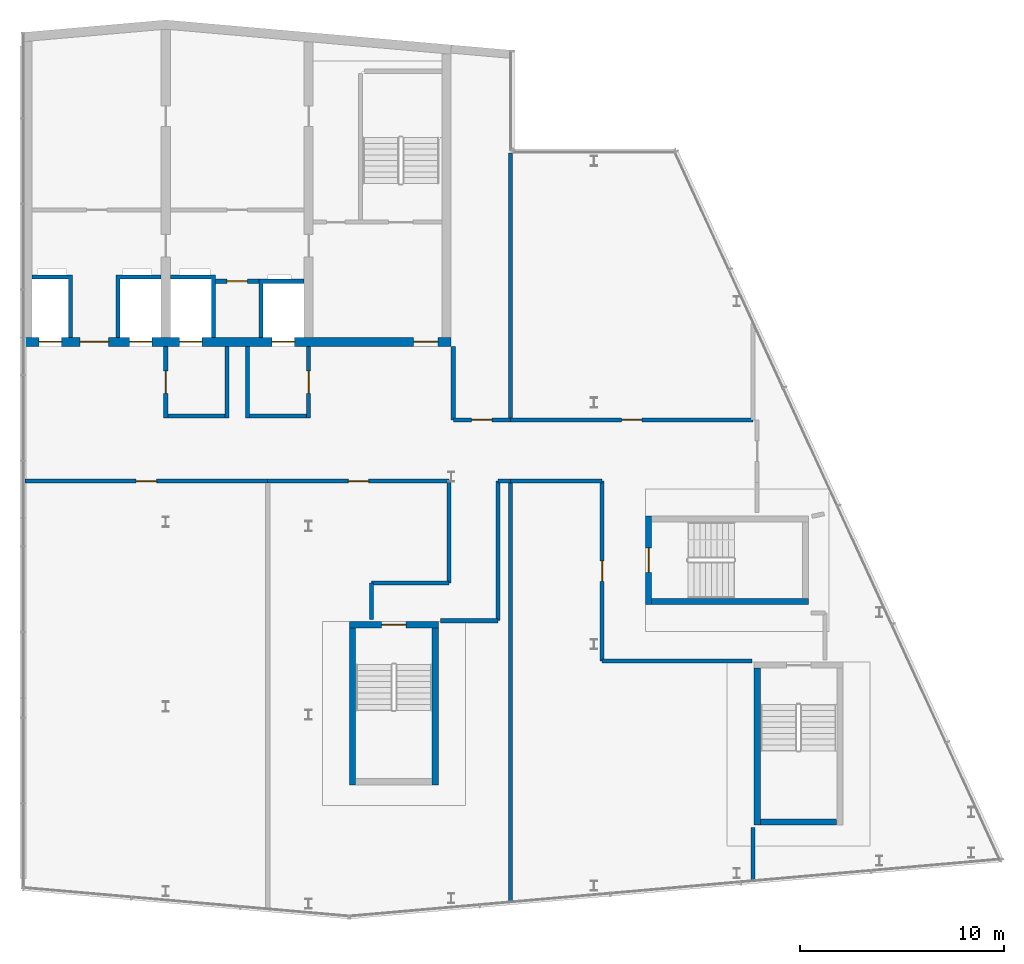
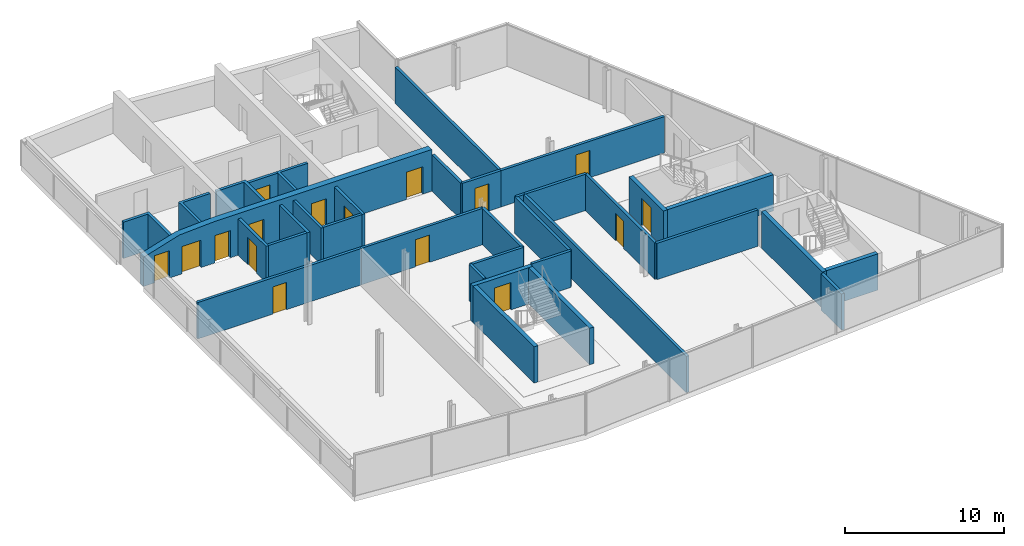
# One storey, part 9 of 13: 36 walls, 16 doors, 16 openings.
"""IFC4 building model written with IfcOpenShell, lengths in metres."""

from ifc_helpers import new_model, si_unit, direction, frame, frame_2d, origin, place, context, subcontext, project, spatial, polyline, rectangle, outline, extrude, material, layer, layer_set, type_object, element, fill, save


model = new_model("IFC4")

# Units and contexts
model_context = context("Model", 3, precision=1e-05, world=origin(), true_north=direction((0.0, 1.0)))
body_context = subcontext(model_context, "Body", "Model", "MODEL_VIEW")
ifc_project = project(units=[si_unit("LENGTHUNIT", "METRE"), si_unit("AREAUNIT", "SQUARE_METRE"), si_unit("VOLUMEUNIT", "CUBIC_METRE"), si_unit("PLANEANGLEUNIT", "RADIAN"), si_unit("MASSUNIT", "GRAM", prefix="KILO")], contexts=[model_context])

# Site, building, storey
site_placement = place(None, origin())
site = spatial("IfcSite", under=ifc_project, at=site_placement, CompositionType="ELEMENT")
building_placement = place(site_placement, origin())
building = spatial("IfcBuilding", under=site, at=building_placement, Name="Wharfspan Tower", CompositionType="ELEMENT")
storey_placement = place(building_placement, frame((0.0, 0.0, 264.300049)))
storey = spatial("IfcBuildingStorey", under=building, at=storey_placement, Name="L67", CompositionType="ELEMENT", Elevation=264.300049)

# Wall, opening, door
ifc_material_1 = material(Name="Calcium silicate masonry", Category="masonry")
ifc_layer_1 = layer(ifc_material_1, 0.199951)
ifc_layer_set_1 = layer_set([ifc_layer_1], Name="Calcium silicate masonry")
wall_type_1 = type_object("IfcWallType", Name="Core room wall 200", PredefinedType="PARTITIONING", material=ifc_layer_set_1)
wall_1_placement = place(storey_placement, frame((39.43335, 37.199951, 0.0), z_axis=(0.0, 0.0, 1.0), x_axis=(1.0, 0.0, 0.0)))
wall_1 = element("IfcWall", 1, at=wall_1_placement, inside=storey, type_object=wall_type_1, Name="sw:L67:FR4.2", PredefinedType="PARTITIONING", context=body_context, shape_type="SweptSolid", body=[
    extrude(rectangle(XDim=2.133301, YDim=0.199951, at=frame_2d((1.06665, 0.0))), origin(), (0.0, 0.0, 1.0), 2.800049),
])
opening_1_placement = place(wall_1_placement, frame((0.56665, 0.0, 0.0)))
opening_1 = element("IfcOpeningElement", 2, at=opening_1_placement, cuts=wall_1, Name="Opening CD67.4H2", PredefinedType="OPENING", context=body_context, shape_type="SweptSolid", body=[
    extrude(rectangle(XDim=1.0, YDim=2.100098, at=frame_2d((0.5, 1.050049))), frame((0.0, 0.109863, 0.0), z_axis=(0.0, -1.0, 0.0), x_axis=(1.0, 0.0, 0.0)), (0.0, 0.0, 1.0), 0.219971),
])
ifc_material_2 = material(Name="Steel door leaf", Category="steel")
door_type_1 = type_object("IfcDoorType", Name="Core room door 1000x2100", OperationType="SINGLE_SWING_LEFT", PredefinedType="DOOR", material=ifc_material_2)
door_1_placement = place(opening_1_placement, origin())
door_1 = element("IfcDoor", 3, at=door_1_placement, inside=storey, type_object=door_type_1, Name="d:L67:4:fh4.2", OperationType="SINGLE_SWING_RIGHT", OverallHeight=2.100098, OverallWidth=1.0, PredefinedType="DOOR", context=body_context, shape_type="SweptSolid", body=[
    extrude(rectangle(XDim=1.0, YDim=2.100098, at=frame_2d((0.5, 1.050049))), frame((0.0, 0.024902, 0.0), z_axis=(0.0, -1.0, 0.0), x_axis=(1.0, 0.0, 0.0)), (0.0, 0.0, 1.0), 0.050049),
])
fill(opening_1, door_1)

wall_2_placement = place(storey_placement, frame((30.100098, 27.399902, 0.0), z_axis=(0.0, 0.0, 1.0), x_axis=(1.0, 0.0, 0.0)))
wall_2 = element("IfcWall", 4, at=wall_2_placement, inside=storey, type_object=wall_type_1, Name="cr:L67:w1", PredefinedType="PARTITIONING", context=body_context, shape_type="SweptSolid", body=[
    extrude(rectangle(XDim=11.899902, YDim=0.199951, at=frame_2d((5.949951, 0.0))), origin(), (0.0, 0.0, 1.0), 2.800049),
])
opening_2_placement = place(wall_2_placement, frame((5.449951, 0.0, 0.0)))
opening_2 = element("IfcOpeningElement", 5, at=opening_2_placement, cuts=wall_2, Name="Opening CD67.d1", PredefinedType="OPENING", context=body_context, shape_type="SweptSolid", body=[
    extrude(rectangle(XDim=1.0, YDim=2.100098, at=frame_2d((0.5, 1.050049))), frame((0.0, 0.109863, 0.0), z_axis=(0.0, -1.0, 0.0), x_axis=(1.0, 0.0, 0.0)), (0.0, 0.0, 1.0), 0.219971),
])
door_2_placement = place(opening_2_placement, origin())
door_2 = element("IfcDoor", 6, at=door_2_placement, inside=storey, type_object=door_type_1, Name="cd:L67:d1", OperationType="SINGLE_SWING_LEFT", OverallHeight=2.100098, OverallWidth=1.0, PredefinedType="DOOR", context=body_context, shape_type="SweptSolid", body=[
    extrude(rectangle(XDim=1.0, YDim=2.100098, at=frame_2d((0.5, 1.050049))), frame((0.0, 0.024902, 0.0), z_axis=(0.0, -1.0, 0.0), x_axis=(1.0, 0.0, 0.0)), (0.0, 0.0, 1.0), 0.050049),
])
fill(opening_2, door_2)

# Walls
wall_3_placement = place(storey_placement, frame((53.300049, 20.550293, 0.0), z_axis=(0.0, 0.0, 1.0), x_axis=(0.0, 1.0, 0.0)))
element("IfcWall", 7, at=wall_3_placement, inside=storey, type_object=wall_type_1, Name="cr:L67:w3", PredefinedType="PARTITIONING", context=body_context, shape_type="SweptSolid", body=[
    extrude(rectangle(XDim=6.849609, YDim=0.199951, at=frame_2d((3.424805, 0.0))), origin(), (0.0, 0.0, 1.0), 2.800049),
])
wall_4_placement = place(storey_placement, frame((53.300049, 27.399902, 0.0), z_axis=(0.0, 0.0, 1.0), x_axis=(1.0, 0.0, 0.0)))
element("IfcWall", 8, at=wall_4_placement, inside=storey, type_object=wall_type_1, Name="cr:L67:w4", PredefinedType="PARTITIONING", context=body_context, shape_type="SweptSolid", body=[
    extrude(rectangle(XDim=0.599854, YDim=0.199951, at=frame_2d((0.299805, 0.0))), origin(), (0.0, 0.0, 1.0), 2.800049),
])

# Wall, opening, door
wall_5_placement = place(storey_placement, frame((42.0, 27.399902, 0.0), z_axis=(0.0, 0.0, 1.0), x_axis=(1.0, 0.0, 0.0)))
wall_5 = element("IfcWall", 9, at=wall_5_placement, inside=storey, type_object=wall_type_1, Name="cr:L67:w5", PredefinedType="PARTITIONING", context=body_context, shape_type="SweptSolid", body=[
    extrude(rectangle(XDim=8.899902, YDim=0.199951, at=frame_2d((4.449951, 0.0))), origin(), (0.0, 0.0, 1.0), 2.800049),
])
opening_3_placement = place(wall_5_placement, frame((3.949951, 0.0, 0.0)))
opening_3 = element("IfcOpeningElement", 10, at=opening_3_placement, cuts=wall_5, Name="Opening CD67.d2", PredefinedType="OPENING", context=body_context, shape_type="SweptSolid", body=[
    extrude(rectangle(XDim=1.0, YDim=2.100098, at=frame_2d((0.5, 1.050049))), frame((0.0, 0.109863, 0.0), z_axis=(0.0, -1.0, 0.0), x_axis=(1.0, 0.0, 0.0)), (0.0, 0.0, 1.0), 0.219971),
])
door_3_placement = place(opening_3_placement, origin())
door_3 = element("IfcDoor", 11, at=door_3_placement, inside=storey, type_object=door_type_1, Name="cd:L67:d2", OperationType="SINGLE_SWING_LEFT", OverallHeight=2.100098, OverallWidth=1.0, PredefinedType="DOOR", context=body_context, shape_type="SweptSolid", body=[
    extrude(rectangle(XDim=1.0, YDim=2.100098, at=frame_2d((0.5, 1.050049))), frame((0.0, 0.024902, 0.0), z_axis=(0.0, -1.0, 0.0), x_axis=(1.0, 0.0, 0.0)), (0.0, 0.0, 1.0), 0.050049),
])
fill(opening_3, door_3)

# Walls
wall_6_placement = place(storey_placement, frame((50.899902, 27.399902, 0.0), z_axis=(0.0, 0.0, 1.0), x_axis=(0.0, -1.0, 0.0)))
element("IfcWall", 12, at=wall_6_placement, inside=storey, type_object=wall_type_1, Name="cr:L67:w6", PredefinedType="PARTITIONING", context=body_context, shape_type="SweptSolid", body=[
    extrude(rectangle(XDim=4.999512, YDim=0.199951, at=frame_2d((2.499756, 0.0))), origin(), (0.0, 0.0, 1.0), 2.800049),
])
wall_7_placement = place(storey_placement, frame((50.899902, 22.400391, 0.0), z_axis=(0.0, 0.0, 1.0), x_axis=(-1.0, 0.0, 0.0)))
element("IfcWall", 13, at=wall_7_placement, inside=storey, type_object=wall_type_1, Name="cr:L67:w7", PredefinedType="PARTITIONING", context=body_context, shape_type="SweptSolid", body=[
    extrude(rectangle(XDim=3.808838, YDim=0.199951, at=frame_2d((1.904297, 0.0))), origin(), (0.0, 0.0, 1.0), 2.800049),
])
wall_8_placement = place(storey_placement, frame((47.091064, 22.400391, 0.0), z_axis=(0.0, 0.0, 1.0), x_axis=(0.0, -1.0, 0.0)))
element("IfcWall", 14, at=wall_8_placement, inside=storey, type_object=wall_type_1, Name="cr:L67:w8", PredefinedType="PARTITIONING", context=body_context, shape_type="SweptSolid", body=[
    extrude(rectangle(XDim=1.800049, YDim=0.199951, at=frame_2d((0.899902, 0.0))), origin(), (0.0, 0.0, 1.0), 2.800049),
])
wall_9_placement = place(storey_placement, frame((50.466064, 20.550293, 0.0), z_axis=(0.0, 0.0, 1.0), x_axis=(1.0, 0.0, 0.0)))
element("IfcWall", 15, at=wall_9_placement, inside=storey, type_object=wall_type_1, Name="cr:L67:w9", PredefinedType="PARTITIONING", context=body_context, shape_type="SweptSolid", body=[
    extrude(rectangle(XDim=2.833984, YDim=0.199951, at=frame_2d((1.416992, 0.0))), origin(), (0.0, 0.0, 1.0), 2.800049),
])
wall_10_placement = place(storey_placement, frame((53.899902, 27.399902, 0.0), z_axis=(0.0, 0.0, 1.0), x_axis=(0.0, -1.0, 0.0)))
element("IfcWall", 16, at=wall_10_placement, inside=storey, type_object=wall_type_1, Name="cr:L67:w10", PredefinedType="PARTITIONING", context=body_context, shape_type="SweptSolid", body=[
    extrude(rectangle(XDim=20.60791, YDim=0.199951, at=frame_2d((10.303955, 0.0))), origin(), (0.0, 0.0, 1.0), 2.800049),
])

# Wall, opening, door
wall_11_placement = place(storey_placement, frame((58.399902, 27.399902, 0.0), z_axis=(0.0, 0.0, 1.0), x_axis=(0.0, -1.0, 0.0)))
wall_11 = element("IfcWall", 17, at=wall_11_placement, inside=storey, type_object=wall_type_1, Name="cr:L67:w11", PredefinedType="PARTITIONING", context=body_context, shape_type="SweptSolid", body=[
    extrude(rectangle(XDim=8.828125, YDim=0.199951, at=frame_2d((4.414062, 0.0))), origin(), (0.0, 0.0, 1.0), 2.800049),
])
opening_4_placement = place(wall_11_placement, frame((3.914062, 0.0, 0.0)))
opening_4 = element("IfcOpeningElement", 18, at=opening_4_placement, cuts=wall_11, Name="Opening CD67.d3", PredefinedType="OPENING", context=body_context, shape_type="SweptSolid", body=[
    extrude(rectangle(XDim=1.0, YDim=2.100098, at=frame_2d((0.5, 1.050049))), frame((0.0, 0.109863, 0.0), z_axis=(0.0, -1.0, 0.0), x_axis=(1.0, 0.0, 0.0)), (0.0, 0.0, 1.0), 0.219971),
])
door_4_placement = place(opening_4_placement, origin())
door_4 = element("IfcDoor", 19, at=door_4_placement, inside=storey, type_object=door_type_1, Name="cd:L67:d3", OperationType="SINGLE_SWING_LEFT", OverallHeight=2.100098, OverallWidth=1.0, PredefinedType="DOOR", context=body_context, shape_type="SweptSolid", body=[
    extrude(rectangle(XDim=1.0, YDim=2.100098, at=frame_2d((0.5, 1.050049))), frame((0.0, 0.024902, 0.0), z_axis=(0.0, -1.0, 0.0), x_axis=(1.0, 0.0, 0.0)), (0.0, 0.0, 1.0), 0.050049),
])
fill(opening_4, door_4)

# Walls
wall_12_placement = place(storey_placement, frame((58.399902, 18.571777, 0.0), z_axis=(0.0, 0.0, 1.0), x_axis=(1.0, 0.0, 0.0)))
element("IfcWall", 20, at=wall_12_placement, inside=storey, type_object=wall_type_1, Name="cr:L67:w12", PredefinedType="PARTITIONING", context=body_context, shape_type="SweptSolid", body=[
    extrude(rectangle(XDim=7.356689, YDim=0.199951, at=frame_2d((3.678223, 0.0))), origin(), (0.0, 0.0, 1.0), 2.800049),
])
wall_13_placement = place(storey_placement, frame((53.899902, 27.399902, 0.0), z_axis=(0.0, 0.0, 1.0), x_axis=(1.0, 0.0, 0.0)))
element("IfcWall", 21, at=wall_13_placement, inside=storey, type_object=wall_type_1, Name="cr:L67:w13", PredefinedType="PARTITIONING", context=body_context, shape_type="SweptSolid", body=[
    extrude(rectangle(XDim=4.5, YDim=0.199951, at=frame_2d((2.25, 0.0))), origin(), (0.0, 0.0, 1.0), 2.800049),
])
wall_14_placement = place(storey_placement, frame((65.800049, 10.421631, 0.0), z_axis=(0.0, 0.0, 1.0), x_axis=(0.0, -1.0, 0.0)))
element("IfcWall", 22, at=wall_14_placement, inside=storey, type_object=wall_type_1, Name="cr:L67:w14", PredefinedType="PARTITIONING", context=body_context, shape_type="SweptSolid", body=[
    extrude(rectangle(XDim=2.588623, YDim=0.199951, at=frame_2d((1.294434, 0.0))), origin(), (0.0, 0.0, 1.0), 2.800049),
])

# Wall, opening, door
wall_15_placement = place(storey_placement, frame((65.800049, 30.399902, 0.0), z_axis=(0.0, 0.0, 1.0), x_axis=(-1.0, 0.0, 0.0)))
wall_15 = element("IfcWall", 23, at=wall_15_placement, inside=storey, type_object=wall_type_1, Name="cr:L67:w15", PredefinedType="PARTITIONING", context=body_context, shape_type="SweptSolid", body=[
    extrude(rectangle(XDim=11.900146, YDim=0.199951, at=frame_2d((5.950195, 0.0))), origin(), (0.0, 0.0, 1.0), 2.800049),
])
opening_5_placement = place(wall_15_placement, frame((5.449951, 0.0, 0.0)))
opening_5 = element("IfcOpeningElement", 24, at=opening_5_placement, cuts=wall_15, Name="Opening CD67.d4", PredefinedType="OPENING", context=body_context, shape_type="SweptSolid", body=[
    extrude(rectangle(XDim=1.0, YDim=2.100098, at=frame_2d((0.5, 1.050049))), frame((0.0, 0.109863, 0.0), z_axis=(0.0, -1.0, 0.0), x_axis=(1.0, 0.0, 0.0)), (0.0, 0.0, 1.0), 0.219971),
])
door_5_placement = place(opening_5_placement, origin())
door_5 = element("IfcDoor", 25, at=door_5_placement, inside=storey, type_object=door_type_1, Name="cd:L67:d4", OperationType="SINGLE_SWING_LEFT", OverallHeight=2.100098, OverallWidth=1.0, PredefinedType="DOOR", context=body_context, shape_type="SweptSolid", body=[
    extrude(rectangle(XDim=1.0, YDim=2.100098, at=frame_2d((0.5, 1.050049))), frame((0.0, 0.024902, 0.0), z_axis=(0.0, -1.0, 0.0), x_axis=(1.0, 0.0, 0.0)), (0.0, 0.0, 1.0), 0.050049),
])
fill(opening_5, door_5)

# Wall
wall_16_placement = place(storey_placement, frame((53.899902, 30.399902, 0.0), z_axis=(0.0, 0.0, 1.0), x_axis=(0.0, 1.0, 0.0)))
element("IfcWall", 26, at=wall_16_placement, inside=storey, type_object=wall_type_1, Name="cr:L67:w17", PredefinedType="PARTITIONING", context=body_context, shape_type="SweptSolid", body=[
    extrude(rectangle(XDim=13.100098, YDim=0.199951, at=frame_2d((6.550049, 0.0))), origin(), (0.0, 0.0, 1.0), 2.800049),
])

# Wall, opening, door
wall_17_placement = place(storey_placement, frame((53.899902, 30.399902, 0.0), z_axis=(0.0, 0.0, 1.0), x_axis=(-1.0, 0.0, 0.0)))
wall_17 = element("IfcWall", 27, at=wall_17_placement, inside=storey, type_object=wall_type_1, Name="cr:L67:w21", PredefinedType="PARTITIONING", context=body_context, shape_type="SweptSolid", body=[
    extrude(rectangle(XDim=2.799805, YDim=0.199951, at=frame_2d((1.399902, 0.0))), origin(), (0.0, 0.0, 1.0), 2.800049),
])
opening_6_placement = place(wall_17_placement, frame((0.899902, 0.0, 0.0)))
opening_6 = element("IfcOpeningElement", 28, at=opening_6_placement, cuts=wall_17, Name="Opening CD67.d6", PredefinedType="OPENING", context=body_context, shape_type="SweptSolid", body=[
    extrude(rectangle(XDim=1.0, YDim=2.100098, at=frame_2d((0.5, 1.050049))), frame((0.0, 0.109863, 0.0), z_axis=(0.0, -1.0, 0.0), x_axis=(1.0, 0.0, 0.0)), (0.0, 0.0, 1.0), 0.219971),
])
door_6_placement = place(opening_6_placement, origin())
door_6 = element("IfcDoor", 29, at=door_6_placement, inside=storey, type_object=door_type_1, Name="cd:L67:d6", OperationType="SINGLE_SWING_LEFT", OverallHeight=2.100098, OverallWidth=1.0, PredefinedType="DOOR", context=body_context, shape_type="SweptSolid", body=[
    extrude(rectangle(XDim=1.0, YDim=2.100098, at=frame_2d((0.5, 1.050049))), frame((0.0, 0.024902, 0.0), z_axis=(0.0, -1.0, 0.0), x_axis=(1.0, 0.0, 0.0)), (0.0, 0.0, 1.0), 0.050049),
])
fill(opening_6, door_6)

# Wall
wall_18_placement = place(storey_placement, frame((51.100098, 30.399902, 0.0), z_axis=(0.0, 0.0, 1.0), x_axis=(0.0, 1.0, 0.0)))
element("IfcWall", 30, at=wall_18_placement, inside=storey, type_object=wall_type_1, Name="cr:L67:w22", PredefinedType="PARTITIONING", context=body_context, shape_type="SweptSolid", body=[
    extrude(rectangle(XDim=3.59375, YDim=0.199951, at=frame_2d((1.796875, 0.0))), origin(), (0.0, 0.0, 1.0), 2.800049),
])

# Wall, openings, doors
ifc_material_3 = material(Name="Concrete C50/60", Category="concrete")
ifc_layer_2 = layer(ifc_material_3, 0.449951)
ifc_layer_set_2 = layer_set([ifc_layer_2], Name="Concrete C50/60")
wall_type_2 = type_object("IfcWallType", Name="Core wall 450 C50/60", PredefinedType="SHEAR", material=ifc_layer_set_2)
wall_19_placement = place(storey_placement, frame((30.0, 34.225098, 0.0), z_axis=(0.0, 0.0, 1.0), x_axis=(1.0, 0.0, 0.0)))
wall_19 = element("IfcWall", 31, at=wall_19_placement, inside=storey, type_object=wall_type_2, Name="Core front wall L67", PredefinedType="SHEAR", context=body_context, shape_type="SweptSolid", body=[
    extrude(outline(polyline([(0.0, 0.0), (21.0, 0.0), (21.0, 3.199951), (18.375, 3.199951), (15.75, 3.199951), (13.125, 3.199951), (10.5, 3.199951), (7.875, 3.199951), (5.25, 3.199951), (2.625, 3.054199), (0.0, 2.25), (0.0, 0.0)])), frame((0.0, 0.225098, 0.0), z_axis=(0.0, -1.0, 0.0), x_axis=(1.0, 0.0, 0.0)), (0.0, 0.0, 1.0), 0.449951),
])
opening_7_placement = place(wall_19_placement, frame((0.791748, 0.0, 0.0)))
opening_7 = element("IfcOpeningElement", 32, at=opening_7_placement, cuts=wall_19, Name="Opening LD.SL1.L67", PredefinedType="OPENING", context=body_context, shape_type="SweptSolid", body=[
    extrude(rectangle(XDim=1.100098, YDim=2.100098, at=frame_2d((0.550049, 1.050049))), frame((0.0, 0.234863, 0.0), z_axis=(0.0, -1.0, 0.0), x_axis=(1.0, 0.0, 0.0)), (0.0, 0.0, 1.0), 0.469971),
])
opening_8_placement = place(wall_19_placement, frame((5.220703, 0.0, 0.0)))
opening_8 = element("IfcOpeningElement", 33, at=opening_8_placement, cuts=wall_19, Name="Opening LD.SL2.L67", PredefinedType="OPENING", context=body_context, shape_type="SweptSolid", body=[
    extrude(rectangle(XDim=1.100098, YDim=2.100098, at=frame_2d((0.550049, 1.050049))), frame((0.0, 0.234863, 0.0), z_axis=(0.0, -1.0, 0.0), x_axis=(1.0, 0.0, 0.0)), (0.0, 0.0, 1.0), 0.469971),
])
opening_9_placement = place(wall_19_placement, frame((2.800049, 0.0, 0.0)))
opening_9 = element("IfcOpeningElement", 34, at=opening_9_placement, cuts=wall_19, Name="Opening HD67.3", PredefinedType="OPENING", context=body_context, shape_type="SweptSolid", body=[
    extrude(rectangle(XDim=1.399902, YDim=2.100098, at=frame_2d((0.699951, 1.050049))), frame((0.0, 0.234863, 0.0), z_axis=(0.0, -1.0, 0.0), x_axis=(1.0, 0.0, 0.0)), (0.0, 0.0, 1.0), 0.469971),
])
opening_10_placement = place(wall_19_placement, frame((7.679199, 0.0, 0.0)))
opening_10 = element("IfcOpeningElement", 35, at=opening_10_placement, cuts=wall_19, Name="Opening LD.FF1.L67", PredefinedType="OPENING", context=body_context, shape_type="SweptSolid", body=[
    extrude(rectangle(XDim=1.100098, YDim=2.100098, at=frame_2d((0.550049, 1.050049))), frame((0.0, 0.234863, 0.0), z_axis=(0.0, -1.0, 0.0), x_axis=(1.0, 0.0, 0.0)), (0.0, 0.0, 1.0), 0.469971),
])
opening_11_placement = place(wall_19_placement, frame((12.220703, 0.0, 0.0)))
opening_11 = element("IfcOpeningElement", 36, at=opening_11_placement, cuts=wall_19, Name="Opening LD.FF2.L67", PredefinedType="OPENING", context=body_context, shape_type="SweptSolid", body=[
    extrude(rectangle(XDim=1.100098, YDim=2.100098, at=frame_2d((0.550049, 1.050049))), frame((0.0, 0.234863, 0.0), z_axis=(0.0, -1.0, 0.0), x_axis=(1.0, 0.0, 0.0)), (0.0, 0.0, 1.0), 0.469971),
])
opening_12_placement = place(wall_19_placement, frame((19.149902, 0.0, 0.0)))
opening_12 = element("IfcOpeningElement", 37, at=opening_12_placement, cuts=wall_19, Name="Opening SV5.L67", PredefinedType="OPENING", context=body_context, shape_type="SweptSolid", body=[
    extrude(rectangle(XDim=1.199951, YDim=2.100098, at=frame_2d((0.600098, 1.050049))), frame((0.0, 0.234863, 0.0), z_axis=(0.0, -1.0, 0.0), x_axis=(1.0, 0.0, 0.0)), (0.0, 0.0, 1.0), 0.469971),
])
door_type_2 = type_object("IfcDoorType", Name="Hall entry door 1400x2100", OperationType="DOUBLE_DOOR_SINGLE_SWING", PredefinedType="DOOR", material=ifc_material_2)
door_7_placement = place(opening_9_placement, origin())
door_7 = element("IfcDoor", 38, at=door_7_placement, inside=storey, type_object=door_type_2, Name="d:L67:3:hd3", OperationType="DOUBLE_DOOR_SINGLE_SWING", OverallHeight=2.100098, OverallWidth=1.399902, PredefinedType="DOOR", context=body_context, shape_type="SweptSolid", body=[
    extrude(rectangle(XDim=1.399902, YDim=2.100098, at=frame_2d((0.699951, 1.050049))), frame((0.0, 0.024902, 0.0), z_axis=(0.0, -1.0, 0.0), x_axis=(1.0, 0.0, 0.0)), (0.0, 0.0, 1.0), 0.050049),
])
fill(opening_9, door_7)
ifc_material_4 = material(Name="Stainless steel", Category="steel")
door_type_3 = type_object("IfcDoorType", Name="Lift landing door 1100x2100", OperationType="DOUBLE_DOOR_SLIDING", PredefinedType="DOOR", material=ifc_material_4)
door_8_placement = place(opening_7_placement, origin())
door_8 = element("IfcDoor", 39, at=door_8_placement, inside=storey, type_object=door_type_3, Name="Landing door SL1 L67", OperationType="DOUBLE_DOOR_SLIDING", OverallHeight=2.100098, OverallWidth=1.100098, PredefinedType="DOOR", context=body_context, shape_type="SweptSolid", body=[
    extrude(rectangle(XDim=1.100098, YDim=2.100098, at=frame_2d((0.550049, 1.050049))), frame((0.0, 0.024902, 0.0), z_axis=(0.0, -1.0, 0.0), x_axis=(1.0, 0.0, 0.0)), (0.0, 0.0, 1.0), 0.050049),
])
fill(opening_7, door_8)
door_9_placement = place(opening_8_placement, origin())
door_9 = element("IfcDoor", 40, at=door_9_placement, inside=storey, type_object=door_type_3, Name="Landing door SL2 L67", OperationType="DOUBLE_DOOR_SLIDING", OverallHeight=2.100098, OverallWidth=1.100098, PredefinedType="DOOR", context=body_context, shape_type="SweptSolid", body=[
    extrude(rectangle(XDim=1.100098, YDim=2.100098, at=frame_2d((0.550049, 1.050049))), frame((0.0, 0.024902, 0.0), z_axis=(0.0, -1.0, 0.0), x_axis=(1.0, 0.0, 0.0)), (0.0, 0.0, 1.0), 0.050049),
])
fill(opening_8, door_9)
door_10_placement = place(opening_10_placement, origin())
door_10 = element("IfcDoor", 41, at=door_10_placement, inside=storey, type_object=door_type_3, Name="Landing door FF1 L67", OperationType="DOUBLE_DOOR_SLIDING", OverallHeight=2.100098, OverallWidth=1.100098, PredefinedType="DOOR", context=body_context, shape_type="SweptSolid", body=[
    extrude(rectangle(XDim=1.100098, YDim=2.100098, at=frame_2d((0.550049, 1.050049))), frame((0.0, 0.024902, 0.0), z_axis=(0.0, -1.0, 0.0), x_axis=(1.0, 0.0, 0.0)), (0.0, 0.0, 1.0), 0.050049),
])
fill(opening_10, door_10)
door_11_placement = place(opening_11_placement, origin())
door_11 = element("IfcDoor", 42, at=door_11_placement, inside=storey, type_object=door_type_3, Name="Landing door FF2 L67", OperationType="DOUBLE_DOOR_SLIDING", OverallHeight=2.100098, OverallWidth=1.100098, PredefinedType="DOOR", context=body_context, shape_type="SweptSolid", body=[
    extrude(rectangle(XDim=1.100098, YDim=2.100098, at=frame_2d((0.550049, 1.050049))), frame((0.0, 0.024902, 0.0), z_axis=(0.0, -1.0, 0.0), x_axis=(1.0, 0.0, 0.0)), (0.0, 0.0, 1.0), 0.050049),
])
fill(opening_11, door_11)
door_type_4 = type_object("IfcDoorType", Name="Stair door 1200x2100", OperationType="SINGLE_SWING_LEFT", PredefinedType="DOOR", material=ifc_material_2)
door_12_placement = place(opening_12_placement, origin())
door_12 = element("IfcDoor", 43, at=door_12_placement, inside=storey, type_object=door_type_4, Name="vd:L67:5", OperationType="SINGLE_SWING_LEFT", OverallHeight=2.100098, OverallWidth=1.199951, PredefinedType="DOOR", context=body_context, shape_type="SweptSolid", body=[
    extrude(rectangle(XDim=1.199951, YDim=2.100098, at=frame_2d((0.600098, 1.050049))), frame((0.0, 0.024902, 0.0), z_axis=(0.0, -1.0, 0.0), x_axis=(1.0, 0.0, 0.0)), (0.0, 0.0, 1.0), 0.050049),
])
fill(opening_12, door_12)

# Walls
ifc_material_5 = material(Name="Concrete C30/37", Category="concrete")
ifc_layer_3 = layer(ifc_material_5, 0.199951)
ifc_layer_set_3 = layer_set([ifc_layer_3], Name="Concrete C30/37")
wall_type_3 = type_object("IfcWallType", Name="Lift shaft wall 200", PredefinedType="PARTITIONING", material=ifc_layer_set_3)
wall_20_placement = place(storey_placement, origin())
element("IfcWall", 44, at=wall_20_placement, inside=storey, type_object=wall_type_3, Name="sw:L67:FM3.0", PredefinedType="PARTITIONING", context=body_context, shape_type="SweptSolid", body=[
    extrude(outline(polyline([(32.233398, 37.300049), (30.449951, 37.300049), (30.449951, 37.5), (32.233398, 37.5), (32.43335, 37.5), (32.43335, 34.449951), (32.233398, 34.449951), (32.233398, 37.300049)])), origin(), (0.0, 0.0, 1.0), 2.800049),
])
wall_21_placement = place(storey_placement, origin())
element("IfcWall", 45, at=wall_21_placement, inside=storey, type_object=wall_type_3, Name="sw:L67:FM3.1", PredefinedType="PARTITIONING", context=body_context, shape_type="SweptSolid", body=[
    extrude(outline(polyline([(34.56665, 37.5), (34.766602, 37.5), (36.774902, 37.5), (36.774902, 37.300049), (34.766602, 37.300049), (34.766602, 34.449951), (34.56665, 34.449951), (34.56665, 37.5)])), origin(), (0.0, 0.0, 1.0), 2.800049),
])
wall_22_placement = place(storey_placement, origin())
element("IfcWall", 46, at=wall_22_placement, inside=storey, type_object=wall_type_3, Name="sw:L67:FM4.0", PredefinedType="PARTITIONING", context=body_context, shape_type="SweptSolid", body=[
    extrude(outline(polyline([(41.56665, 37.300049), (41.766602, 37.300049), (43.774902, 37.300049), (43.774902, 37.100098), (41.766602, 37.100098), (41.766602, 34.449951), (41.56665, 34.449951), (41.56665, 37.300049)])), origin(), (0.0, 0.0, 1.0), 2.800049),
])
wall_23_placement = place(storey_placement, origin())
element("IfcWall", 47, at=wall_23_placement, inside=storey, type_object=wall_type_3, Name="sw:L67:FM4.1", PredefinedType="PARTITIONING", context=body_context, shape_type="SweptSolid", body=[
    extrude(outline(polyline([(39.233398, 37.300049), (37.225098, 37.300049), (37.225098, 37.5), (39.233398, 37.5), (39.43335, 37.5), (39.43335, 34.449951), (39.233398, 34.449951), (39.233398, 37.300049)])), origin(), (0.0, 0.0, 1.0), 2.800049),
])

# Wall, opening, door
ifc_layer_4 = layer(ifc_material_5, 0.199951)
ifc_layer_set_4 = layer_set([ifc_layer_4], Name="Concrete C30/37")
wall_type_4 = type_object("IfcWallType", Name="Lobby wall 200", PredefinedType="PARTITIONING", material=ifc_layer_set_4)
wall_24_placement = place(storey_placement, frame((37.0, 30.5, 0.0), z_axis=(0.0, 0.0, 1.0), x_axis=(0.0, 1.0, 0.0)))
wall_24 = element("IfcWall", 48, at=wall_24_placement, inside=storey, type_object=wall_type_4, Name="sw:L67:FLFF1W", PredefinedType="PARTITIONING", context=body_context, shape_type="SweptSolid", body=[
    extrude(rectangle(XDim=3.5, YDim=0.199951, at=frame_2d((1.75, 0.0))), origin(), (0.0, 0.0, 1.0), 2.800049),
])
opening_13_placement = place(wall_24_placement, frame((1.199951, 0.0, 0.0)))
opening_13 = element("IfcOpeningElement", 49, at=opening_13_placement, cuts=wall_24, Name="Opening FL.FF1.L67", PredefinedType="OPENING", context=body_context, shape_type="SweptSolid", body=[
    extrude(rectangle(XDim=1.100098, YDim=2.100098, at=frame_2d((0.550049, 1.050049))), frame((0.0, 0.109863, 0.0), z_axis=(0.0, -1.0, 0.0), x_axis=(1.0, 0.0, 0.0)), (0.0, 0.0, 1.0), 0.219971),
])
door_type_5 = type_object("IfcDoorType", Name="Firefighting lobby door 1100x2100", OperationType="SINGLE_SWING_LEFT", PredefinedType="DOOR", material=ifc_material_2)
door_13_placement = place(opening_13_placement, origin())
door_13 = element("IfcDoor", 50, at=door_13_placement, inside=storey, type_object=door_type_5, Name="fd:L67:FF1", OperationType="SINGLE_SWING_LEFT", OverallHeight=2.100098, OverallWidth=1.100098, PredefinedType="DOOR", context=body_context, shape_type="SweptSolid", body=[
    extrude(rectangle(XDim=1.100098, YDim=2.100098, at=frame_2d((0.550049, 1.050049))), frame((0.0, 0.024902, 0.0), z_axis=(0.0, -1.0, 0.0), x_axis=(1.0, 0.0, 0.0)), (0.0, 0.0, 1.0), 0.050049),
])
fill(opening_13, door_13)

# Walls
wall_25_placement = place(storey_placement, frame((40.0, 30.5, 0.0), z_axis=(0.0, 0.0, 1.0), x_axis=(0.0, 1.0, 0.0)))
element("IfcWall", 51, at=wall_25_placement, inside=storey, type_object=wall_type_4, Name="sw:L67:FLFF1E", PredefinedType="PARTITIONING", context=body_context, shape_type="SweptSolid", body=[
    extrude(rectangle(XDim=3.5, YDim=0.199951, at=frame_2d((1.75, 0.0))), origin(), (0.0, 0.0, 1.0), 2.800049),
])
wall_26_placement = place(storey_placement, frame((37.100098, 30.600098, 0.0), z_axis=(0.0, 0.0, 1.0), x_axis=(1.0, 0.0, 0.0)))
element("IfcWall", 52, at=wall_26_placement, inside=storey, type_object=wall_type_4, Name="sw:L67:FLFF1F", PredefinedType="PARTITIONING", context=body_context, shape_type="SweptSolid", body=[
    extrude(rectangle(XDim=2.799805, YDim=0.199951, at=frame_2d((1.399902, 0.0))), origin(), (0.0, 0.0, 1.0), 2.800049),
])
wall_27_placement = place(storey_placement, frame((41.0, 30.5, 0.0), z_axis=(0.0, 0.0, 1.0), x_axis=(0.0, 1.0, 0.0)))
element("IfcWall", 53, at=wall_27_placement, inside=storey, type_object=wall_type_4, Name="sw:L67:FLFF2W", PredefinedType="PARTITIONING", context=body_context, shape_type="SweptSolid", body=[
    extrude(rectangle(XDim=3.5, YDim=0.199951, at=frame_2d((1.75, 0.0))), origin(), (0.0, 0.0, 1.0), 2.800049),
])

# Wall, opening, door
wall_28_placement = place(storey_placement, frame((44.0, 30.5, 0.0), z_axis=(0.0, 0.0, 1.0), x_axis=(0.0, 1.0, 0.0)))
wall_28 = element("IfcWall", 54, at=wall_28_placement, inside=storey, type_object=wall_type_4, Name="sw:L67:FLFF2E", PredefinedType="PARTITIONING", context=body_context, shape_type="SweptSolid", body=[
    extrude(rectangle(XDim=3.5, YDim=0.199951, at=frame_2d((1.75, 0.0))), origin(), (0.0, 0.0, 1.0), 2.800049),
])
opening_14_placement = place(wall_28_placement, frame((1.199951, 0.0, 0.0)))
opening_14 = element("IfcOpeningElement", 55, at=opening_14_placement, cuts=wall_28, Name="Opening FL.FF2.L67", PredefinedType="OPENING", context=body_context, shape_type="SweptSolid", body=[
    extrude(rectangle(XDim=1.100098, YDim=2.100098, at=frame_2d((0.550049, 1.050049))), frame((0.0, 0.109863, 0.0), z_axis=(0.0, -1.0, 0.0), x_axis=(1.0, 0.0, 0.0)), (0.0, 0.0, 1.0), 0.219971),
])
door_14_placement = place(opening_14_placement, origin())
door_14 = element("IfcDoor", 56, at=door_14_placement, inside=storey, type_object=door_type_5, Name="fd:L67:FF2", OperationType="SINGLE_SWING_LEFT", OverallHeight=2.100098, OverallWidth=1.100098, PredefinedType="DOOR", context=body_context, shape_type="SweptSolid", body=[
    extrude(rectangle(XDim=1.100098, YDim=2.100098, at=frame_2d((0.550049, 1.050049))), frame((0.0, 0.024902, 0.0), z_axis=(0.0, -1.0, 0.0), x_axis=(1.0, 0.0, 0.0)), (0.0, 0.0, 1.0), 0.050049),
])
fill(opening_14, door_14)

# Wall
wall_29_placement = place(storey_placement, frame((41.100098, 30.600098, 0.0), z_axis=(0.0, 0.0, 1.0), x_axis=(1.0, 0.0, 0.0)))
element("IfcWall", 57, at=wall_29_placement, inside=storey, type_object=wall_type_4, Name="sw:L67:FLFF2F", PredefinedType="PARTITIONING", context=body_context, shape_type="SweptSolid", body=[
    extrude(rectangle(XDim=2.799805, YDim=0.199951, at=frame_2d((1.399902, 0.0))), origin(), (0.0, 0.0, 1.0), 2.800049),
])

# Wall, opening, door
ifc_material_6 = material(Name="Concrete C40/50", Category="concrete")
ifc_layer_5 = layer(ifc_material_6, 0.300049)
ifc_layer_set_5 = layer_set([ifc_layer_5], Name="Concrete C40/50")
wall_type_5 = type_object("IfcWallType", Name="Stair core wall 300", PredefinedType="SHEAR", material=ifc_layer_set_5)
wall_30_placement = place(storey_placement, frame((60.681641, 21.34668, 0.0), z_axis=(0.0, 0.0, 1.0), x_axis=(0.0, 1.0, 0.0)))
wall_30 = element("IfcWall", 58, at=wall_30_placement, inside=storey, type_object=wall_type_5, Name="ST8 stair enclosure wall L67", PredefinedType="SHEAR", context=body_context, shape_type="SweptSolid", body=[
    extrude(rectangle(XDim=4.350098, YDim=0.300049, at=frame_2d((2.175049, 0.0))), origin(), (0.0, 0.0, 1.0), 2.800049),
])
opening_15_placement = place(wall_30_placement, frame((1.574951, 0.0, 0.0)))
opening_15 = element("IfcOpeningElement", 59, at=opening_15_placement, cuts=wall_30, Name="Opening SD8.L67", PredefinedType="OPENING", context=body_context, shape_type="SweptSolid", body=[
    extrude(rectangle(XDim=1.199951, YDim=2.100098, at=frame_2d((0.600098, 1.050049))), frame((0.0, 0.159912, 0.0), z_axis=(0.0, -1.0, 0.0), x_axis=(1.0, 0.0, 0.0)), (0.0, 0.0, 1.0), 0.320068),
])
door_15_placement = place(opening_15_placement, origin())
door_15 = element("IfcDoor", 60, at=door_15_placement, inside=storey, type_object=door_type_4, Name="sd:L67:ST8z5", OperationType="SINGLE_SWING_RIGHT", OverallHeight=2.100098, OverallWidth=1.199951, PredefinedType="DOOR", context=body_context, shape_type="SweptSolid", body=[
    extrude(rectangle(XDim=1.199951, YDim=2.100098, at=frame_2d((0.600098, 1.050049))), frame((0.0, 0.024902, 0.0), z_axis=(0.0, -1.0, 0.0), x_axis=(1.0, 0.0, 0.0)), (0.0, 0.0, 1.0), 0.050049),
])
fill(opening_15, door_15)

wall_31_placement = place(storey_placement, frame((46.016113, 20.350342, 0.0), z_axis=(0.0, 0.0, 1.0), x_axis=(1.0, 0.0, 0.0)))
wall_31 = element("IfcWall", 61, at=wall_31_placement, inside=storey, type_object=wall_type_5, Name="ST9 stair enclosure wall L67", PredefinedType="SHEAR", context=body_context, shape_type="SweptSolid", body=[
    extrude(rectangle(XDim=4.350098, YDim=0.300049, at=frame_2d((2.175049, 0.0))), origin(), (0.0, 0.0, 1.0), 2.800049),
])
opening_16_placement = place(wall_31_placement, frame((1.574951, 0.0, 0.0)))
opening_16 = element("IfcOpeningElement", 62, at=opening_16_placement, cuts=wall_31, Name="Opening SD9.L67", PredefinedType="OPENING", context=body_context, shape_type="SweptSolid", body=[
    extrude(rectangle(XDim=1.199951, YDim=2.100098, at=frame_2d((0.600098, 1.050049))), frame((0.0, 0.159912, 0.0), z_axis=(0.0, -1.0, 0.0), x_axis=(1.0, 0.0, 0.0)), (0.0, 0.0, 1.0), 0.320068),
])
door_16_placement = place(opening_16_placement, origin())
door_16 = element("IfcDoor", 63, at=door_16_placement, inside=storey, type_object=door_type_4, Name="sd:L67:ST9z5", OperationType="SINGLE_SWING_RIGHT", OverallHeight=2.100098, OverallWidth=1.199951, PredefinedType="DOOR", context=body_context, shape_type="SweptSolid", body=[
    extrude(rectangle(XDim=1.199951, YDim=2.100098, at=frame_2d((0.600098, 1.050049))), frame((0.0, 0.024902, 0.0), z_axis=(0.0, -1.0, 0.0), x_axis=(1.0, 0.0, 0.0)), (0.0, 0.0, 1.0), 0.050049),
])
fill(opening_16, door_16)

# Walls
wall_32_placement = place(storey_placement, frame((66.006592, 10.521729, 0.0), z_axis=(0.0, 0.0, 1.0), x_axis=(0.0, 1.0, 0.0)))
element("IfcWall", 64, at=wall_32_placement, inside=storey, type_object=wall_type_5, Name="ST7 stair enclosure wall L67", PredefinedType="SHEAR", context=body_context, shape_type="SweptSolid", body=[
    extrude(rectangle(XDim=7.699951, YDim=0.300049, at=frame_2d((3.850098, 0.0))), origin(), (0.0, 0.0, 1.0), 2.800049),
])
wall_33_placement = place(storey_placement, frame((66.156494, 10.671631, 0.0), z_axis=(0.0, 0.0, 1.0), x_axis=(1.0, 0.0, 0.0)))
element("IfcWall", 65, at=wall_33_placement, inside=storey, type_object=wall_type_5, Name="ST7 stair enclosure wall L67", PredefinedType="SHEAR", context=body_context, shape_type="SweptSolid", body=[
    extrude(rectangle(XDim=3.75, YDim=0.300049, at=frame_2d((1.875, 0.0))), origin(), (0.0, 0.0, 1.0), 2.800049),
])
for number, where, z_axis, x_axis, name in (
    (66, (60.831543, 21.496582, 0.0), (0.0, 0.0, 1.0), (1.0, 0.0, 0.0), "ST8 stair enclosure wall L67"),
    (67, (46.166016, 12.500488, 0.0), (0.0, 0.0, 1.0), (0.0, 1.0, 0.0), "ST9 stair enclosure wall L67"),
    (68, (50.216064, 12.500488, 0.0), (0.0, 0.0, 1.0), (0.0, 1.0, 0.0), "ST9 stair enclosure wall L67"),
):
    element("IfcWall", number, at=place(storey_placement, frame(where, z_axis=z_axis, x_axis=x_axis)), inside=storey, type_object=wall_type_5, Name=name, PredefinedType="SHEAR", context=body_context, shape_type="SweptSolid", body=[
        extrude(rectangle(XDim=7.699951, YDim=0.300049, at=frame_2d((3.850098, 0.0))), origin(), (0.0, 0.0, 1.0), 2.800049),
    ])

save(model, "model.ifc")
